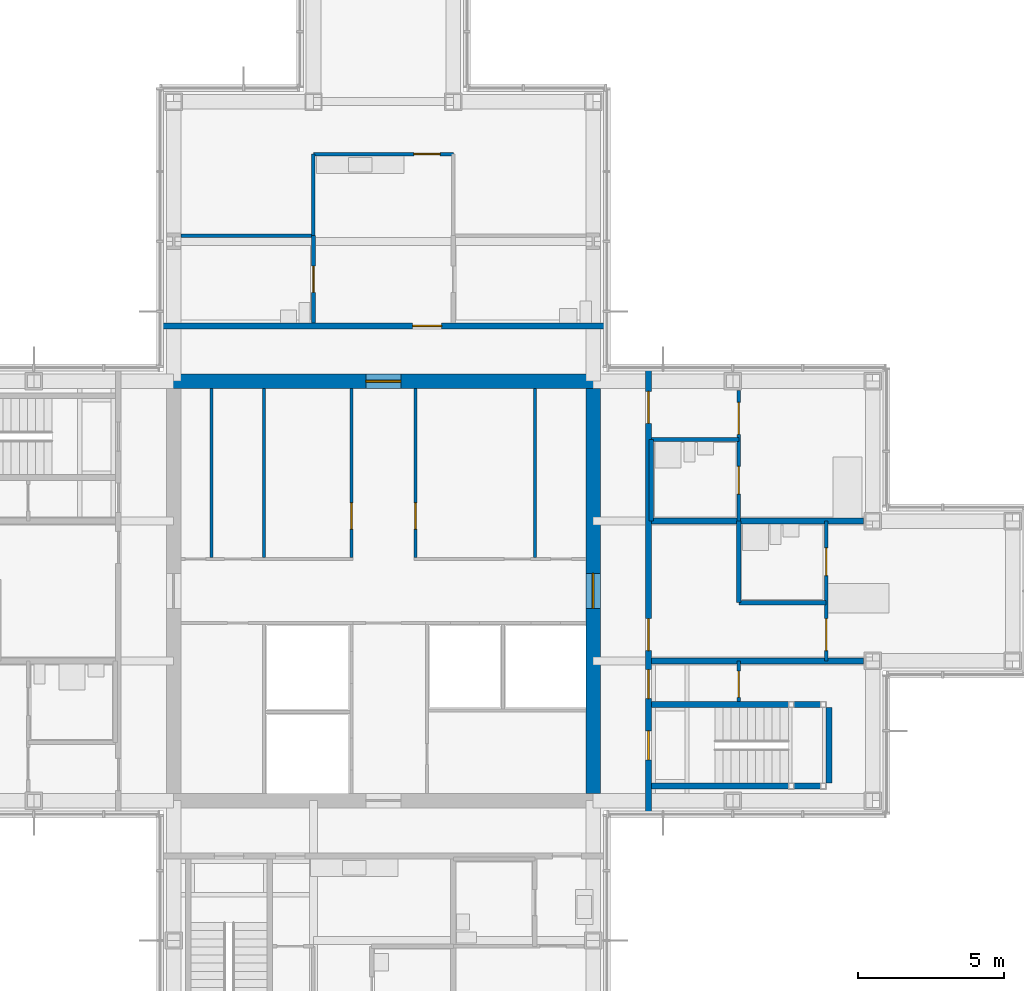
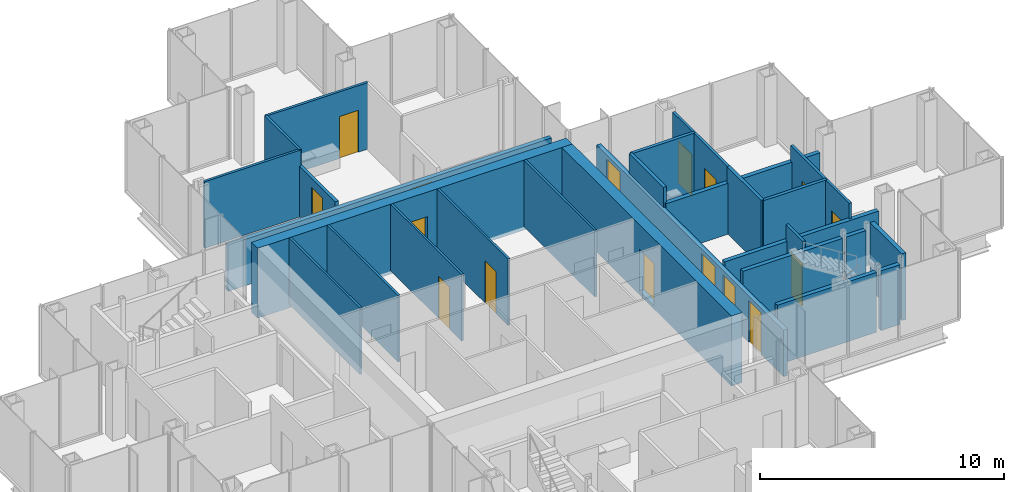
# One storey, part 13 of 17: 27 walls, 16 doors, 16 openings.
"""IFC4 building model written with IfcOpenShell, lengths in metres."""

from ifc_helpers import new_model, si_unit, direction, frame, frame_2d, origin, place, context, subcontext, project, spatial, rectangle, extrude, material, layer, layer_set, type_object, element, fill, save


model = new_model("IFC4")

# Units and contexts
model_context = context("Model", 3, precision=1e-05, world=origin(), true_north=direction((0.0, 1.0)))
body_context = subcontext(model_context, "Body", "Model", "MODEL_VIEW")
ifc_project = project(units=[si_unit("LENGTHUNIT", "METRE"), si_unit("AREAUNIT", "SQUARE_METRE"), si_unit("VOLUMEUNIT", "CUBIC_METRE"), si_unit("PLANEANGLEUNIT", "RADIAN"), si_unit("MASSUNIT", "GRAM", prefix="KILO")], contexts=[model_context])

# Site, building, storey
site_placement = place(None, origin())
site = spatial("IfcSite", under=ifc_project, at=site_placement, CompositionType="ELEMENT")
building_placement = place(site_placement, origin())
building = spatial("IfcBuilding", under=site, at=building_placement, Name="Kvirike Care Tower", CompositionType="ELEMENT")
storey_placement = place(building_placement, frame((0.0, 0.0, 162.0)))
storey = spatial("IfcBuildingStorey", under=building, at=storey_placement, Name="L44", CompositionType="ELEMENT", Elevation=162.0)

# Wall, opening, door
ifc_material_1 = material(Name="Moisture-resistant board partition", Category="gypsum")
ifc_layer_1 = layer(ifc_material_1, 0.14990234375)
ifc_layer_set_1 = layer_set([ifc_layer_1], Name="BATHROOM WALL 150")
wall_type_1 = type_object("IfcWallType", Name="BATHROOM WALL 150", PredefinedType="PARTITIONING", material=ifc_layer_set_1)
wall_1_placement = place(storey_placement, frame((19.199951171875, 48.199951171875, 0.0), z_axis=(0.0, 0.0, 1.0), x_axis=(0.0, -1.0, 0.0)))
wall_1 = element("IfcWall", 1, at=wall_1_placement, inside=storey, type_object=wall_type_1, Name="Bathroom Wall 150 L44", PredefinedType="PARTITIONING", context=body_context, shape_type="SweptSolid", body=[
    extrude(rectangle(XDim=3.0, YDim=0.14990234375, at=frame_2d((1.5, 0.0))), origin(), (0.0, 0.0, 1.0), 2.550048828125),
])
opening_1_placement = place(wall_1_placement, frame((1.050048828125, 0.0, 0.0)))
opening_1 = element("IfcOpeningElement", 2, at=opening_1_placement, cuts=wall_1, Name="Opening 44-018", PredefinedType="OPENING", context=body_context, shape_type="SweptSolid", body=[
    extrude(rectangle(XDim=0.89990234375, YDim=2.10009765625, at=frame_2d((0.449951171875, 1.050048828125))), frame((0.0, 0.08544921875, 0.0), z_axis=(0.0, -1.0, 0.0), x_axis=(1.0, 0.0, 0.0)), (0.0, 0.0, 1.0), 0.1708984375),
])
ifc_material_2 = material(Name="Timber door set", Category="wood")
door_type_1 = type_object("IfcDoorType", Name="BATHROOM DOOR 900", OperationType="SINGLE_SWING_RIGHT", PredefinedType="DOOR", material=ifc_material_2)
door_1_placement = place(opening_1_placement, frame((0.89990234375, 0.0, 0.0), z_axis=(0.0, 0.0, 1.0), x_axis=(-1.0, 0.0, 0.0)))
door_1 = element("IfcDoor", 3, at=door_1_placement, inside=storey, type_object=door_type_1, Name="Staff WC door", OperationType="SINGLE_SWING_RIGHT", OverallHeight=2.10009765625, OverallWidth=0.89990234375, PredefinedType="DOOR", context=body_context, shape_type="SweptSolid", body=[
    extrude(rectangle(XDim=0.89990234375, YDim=2.10009765625, at=frame_2d((0.449951171875, 1.050048828125))), frame((0.0, 0.02197265625, 0.0), z_axis=(0.0, -1.0, 0.0), x_axis=(1.0, 0.0, 0.0)), (0.0, 0.0, 1.0), 0.0439453125),
])
fill(opening_1, door_1)

# Walls
wall_2_placement = place(storey_placement, frame((36.800048828125, 35.60009765625, 0.0), z_axis=(0.0, 0.0, 1.0), x_axis=(-1.0, 0.0, 0.0)))
element("IfcWall", 4, at=wall_2_placement, inside=storey, type_object=wall_type_1, Name="Bathroom Wall 150 L44", PredefinedType="PARTITIONING", context=body_context, shape_type="SweptSolid", body=[
    extrude(rectangle(XDim=3.0, YDim=0.14990234375, at=frame_2d((1.5, 0.0))), origin(), (0.0, 0.0, 1.0), 3.330078125),
])
wall_3_placement = place(storey_placement, frame((33.800048828125, 35.60009765625, 0.0), z_axis=(0.0, 0.0, 1.0), x_axis=(0.0, 1.0, 0.0)))
element("IfcWall", 5, at=wall_3_placement, inside=storey, type_object=wall_type_1, Name="Bathroom Wall 150 L44", PredefinedType="PARTITIONING", context=body_context, shape_type="SweptSolid", body=[
    extrude(rectangle(XDim=2.7998046875, YDim=0.14990234375, at=frame_2d((1.39990234375, 0.0))), origin(), (0.0, 0.0, 1.0), 3.330078125),
])
wall_4_placement = place(storey_placement, frame((33.800048828125, 41.199951171875, 0.0), z_axis=(0.0, 0.0, 1.0), x_axis=(-1.0, 0.0, 0.0)))
element("IfcWall", 6, at=wall_4_placement, inside=storey, type_object=wall_type_1, Name="Bathroom Wall 150 L44", PredefinedType="PARTITIONING", context=body_context, shape_type="SweptSolid", body=[
    extrude(rectangle(XDim=3.0, YDim=0.14990234375, at=frame_2d((1.5, 0.0))), origin(), (0.0, 0.0, 1.0), 3.330078125),
])
wall_5_placement = place(storey_placement, frame((30.800048828125, 38.39990234375, 0.0), z_axis=(0.0, 0.0, 1.0), x_axis=(0.0, 1.0, 0.0)))
element("IfcWall", 7, at=wall_5_placement, inside=storey, type_object=wall_type_1, Name="Bathroom Wall 150 L44", PredefinedType="PARTITIONING", context=body_context, shape_type="SweptSolid", body=[
    extrude(rectangle(XDim=2.800048828125, YDim=0.14990234375, at=frame_2d((1.39990234375, 0.0))), origin(), (0.0, 0.0, 1.0), 3.330078125),
])

# Wall, opening, door
ifc_material_3 = material(Name="Concrete C45/55", Category="concrete")
ifc_layer_2 = layer(ifc_material_3, 0.5)
ifc_layer_set_2 = layer_set([ifc_layer_2], Name="CORE WALL 500 C45-55")
wall_type_2 = type_object("IfcWallType", Name="CORE WALL 500 C45-55", PredefinedType="SHEAR", material=ifc_layer_set_2)
wall_6_placement = place(storey_placement, frame((29.050048828125, 43.199951171875, -0.169921875), z_axis=(0.0, 0.0, 1.0), x_axis=(-1.0, 0.0, 0.0)))
wall_6 = element("IfcWall", 8, at=wall_6_placement, inside=storey, type_object=wall_type_2, Name="Core wall N L44", PredefinedType="SHEAR", context=body_context, shape_type="SweptSolid", body=[
    extrude(rectangle(XDim=14.900146484375, YDim=0.5, at=frame_2d((7.4501953125, 0.0))), origin(), (0.0, 0.0, 1.0), 3.5),
])
opening_2_placement = place(wall_6_placement, frame((6.85009765625, 0.0, 0.169921875)))
opening_2 = element("IfcOpeningElement", 9, at=opening_2_placement, cuts=wall_6, Name="Opening 44-046", PredefinedType="OPENING", context=body_context, shape_type="SweptSolid", body=[
    extrude(rectangle(XDim=1.199951171875, YDim=2.10009765625, at=frame_2d((0.60009765625, 1.050048828125))), frame((0.0, 0.260498046875, 0.0), z_axis=(0.0, -1.0, 0.0), x_axis=(1.0, 0.0, 0.0)), (0.0, 0.0, 1.0), 0.52099609375),
])
ifc_material_4 = material(Name="Timber door set", Category="wood")
door_type_2 = type_object("IfcDoorType", Name="CORE DOOR 1200", OperationType="SINGLE_SWING_LEFT", PredefinedType="DOOR", material=ifc_material_4)
door_2_placement = place(opening_2_placement, origin())
door_2 = element("IfcDoor", 10, at=door_2_placement, inside=storey, type_object=door_type_2, Name="Core door N L44", OperationType="SINGLE_SWING_LEFT", OverallHeight=2.10009765625, OverallWidth=1.199951171875, PredefinedType="DOOR", context=body_context, shape_type="SweptSolid", body=[
    extrude(rectangle(XDim=1.199951171875, YDim=2.10009765625, at=frame_2d((0.60009765625, 1.050048828125))), frame((0.0, 0.02685546875, 0.0), z_axis=(0.0, -1.0, 0.0), x_axis=(1.0, 0.0, 0.0)), (0.0, 0.0, 1.0), 0.053955078125),
])
fill(opening_2, door_2)

wall_7_placement = place(storey_placement, frame((28.800048828125, 29.050048828125, -0.169921875), z_axis=(0.0, 0.0, 1.0), x_axis=(0.0, 1.0, 0.0)))
wall_7 = element("IfcWall", 11, at=wall_7_placement, inside=storey, type_object=wall_type_2, Name="Core wall E L44", PredefinedType="SHEAR", context=body_context, shape_type="SweptSolid", body=[
    extrude(rectangle(XDim=13.89990234375, YDim=0.5, at=frame_2d((6.949951171875, 0.0))), origin(), (0.0, 0.0, 1.0), 3.5),
])
opening_3_placement = place(wall_7_placement, frame((6.35009765625, 0.0, 0.169921875)))
opening_3 = element("IfcOpeningElement", 12, at=opening_3_placement, cuts=wall_7, Name="Opening 44-045", PredefinedType="OPENING", context=body_context, shape_type="SweptSolid", body=[
    extrude(rectangle(XDim=1.199951171875, YDim=2.10009765625, at=frame_2d((0.60009765625, 1.050048828125))), frame((0.0, 0.260498046875, 0.0), z_axis=(0.0, -1.0, 0.0), x_axis=(1.0, 0.0, 0.0)), (0.0, 0.0, 1.0), 0.52099609375),
])
door_3_placement = place(opening_3_placement, origin())
door_3 = element("IfcDoor", 13, at=door_3_placement, inside=storey, type_object=door_type_2, Name="Core door E L44", OperationType="SINGLE_SWING_LEFT", OverallHeight=2.10009765625, OverallWidth=1.199951171875, PredefinedType="DOOR", context=body_context, shape_type="SweptSolid", body=[
    extrude(rectangle(XDim=1.199951171875, YDim=2.10009765625, at=frame_2d((0.60009765625, 1.050048828125))), frame((0.0, 0.02685546875, 0.0), z_axis=(0.0, -1.0, 0.0), x_axis=(1.0, 0.0, 0.0)), (0.0, 0.0, 1.0), 0.053955078125),
])
fill(opening_3, door_3)

ifc_material_5 = material(Name="Plasterboard corridor wall", Category="gypsum")
ifc_layer_3 = layer(ifc_material_5, 0.199951171875)
ifc_layer_set_3 = layer_set([ifc_layer_3], Name="CORRIDOR WALL 200")
wall_type_3 = type_object("IfcWallType", Name="CORRIDOR WALL 200", PredefinedType="PARTITIONING", material=ifc_layer_set_3)
wall_8_placement = place(storey_placement, frame((29.25, 45.10009765625, 0.0), z_axis=(0.0, 0.0, 1.0), x_axis=(-1.0, 0.0, 0.0)))
wall_8 = element("IfcWall", 14, at=wall_8_placement, inside=storey, type_object=wall_type_3, Name="Corridor Wall 200 L44", PredefinedType="PARTITIONING", context=body_context, shape_type="SweptSolid", body=[
    extrude(rectangle(XDim=15.300048828125, YDim=0.199951171875, at=frame_2d((7.64990234375, 0.0))), origin(), (0.0, 0.0, 1.0), 2.320068359375),
])
opening_4_placement = place(wall_8_placement, frame((5.64990234375, 0.0, 0.0)))
opening_4 = element("IfcOpeningElement", 15, at=opening_4_placement, cuts=wall_8, Name="Opening 44-020", PredefinedType="OPENING", context=body_context, shape_type="SweptSolid", body=[
    extrude(rectangle(XDim=1.0, YDim=2.10009765625, at=frame_2d((0.5, 1.050048828125))), frame((0.0, 0.110595703125, 0.0), z_axis=(0.0, -1.0, 0.0), x_axis=(1.0, 0.0, 0.0)), (0.0, 0.0, 1.0), 0.220947265625),
])
ifc_material_6 = material(Name="Timber door set", Category="wood")
door_type_3 = type_object("IfcDoorType", Name="FLAT ENTRANCE DOOR 1000", OperationType="SINGLE_SWING_LEFT", PredefinedType="DOOR", material=ifc_material_6)
door_4_placement = place(opening_4_placement, frame((1.0, 0.0, 0.0), z_axis=(0.0, 0.0, 1.0), x_axis=(-1.0, 0.0, 0.0)))
door_4 = element("IfcDoor", 16, at=door_4_placement, inside=storey, type_object=door_type_3, Name="Household lounge and dining room entrance", OperationType="SINGLE_SWING_LEFT", OverallHeight=2.10009765625, OverallWidth=1.0, PredefinedType="DOOR", context=body_context, shape_type="SweptSolid", body=[
    extrude(rectangle(XDim=1.0, YDim=2.10009765625, at=frame_2d((0.5, 1.050048828125))), frame((0.0, 0.02685546875, 0.0), z_axis=(0.0, -1.0, 0.0), x_axis=(1.0, 0.0, 0.0)), (0.0, 0.0, 1.0), 0.053955078125),
])
fill(opening_4, door_4)

# Wall, openings, doors
wall_9_placement = place(storey_placement, frame((30.699951171875, 28.35009765625, 0.0), z_axis=(0.0, 0.0, 1.0), x_axis=(0.0, 1.0, 0.0)))
wall_9 = element("IfcWall", 17, at=wall_9_placement, inside=storey, type_object=wall_type_3, Name="Corridor Wall 200 L44", PredefinedType="PARTITIONING", context=body_context, shape_type="SweptSolid", body=[
    extrude(rectangle(XDim=15.2998046875, YDim=0.199951171875, at=frame_2d((7.64990234375, 0.0))), origin(), (0.0, 0.0, 1.0), 2.320068359375),
])
opening_5_placement = place(wall_9_placement, frame((1.85009765625, 0.0, 0.0)))
opening_5 = element("IfcOpeningElement", 18, at=opening_5_placement, cuts=wall_9, Name="Opening 44-026", PredefinedType="OPENING", context=body_context, shape_type="SweptSolid", body=[
    extrude(rectangle(XDim=1.0, YDim=2.10009765625, at=frame_2d((0.5, 1.050048828125))), frame((0.0, 0.110595703125, 0.0), z_axis=(0.0, -1.0, 0.0), x_axis=(1.0, 0.0, 0.0)), (0.0, 0.0, 1.0), 0.220947265625),
])
opening_6_placement = place(wall_9_placement, frame((3.949951171875, 0.0, 0.0)))
opening_6 = element("IfcOpeningElement", 19, at=opening_6_placement, cuts=wall_9, Name="Opening 44-027", PredefinedType="OPENING", context=body_context, shape_type="SweptSolid", body=[
    extrude(rectangle(XDim=1.0, YDim=2.10009765625, at=frame_2d((0.5, 1.050048828125))), frame((0.0, 0.110595703125, 0.0), z_axis=(0.0, -1.0, 0.0), x_axis=(1.0, 0.0, 0.0)), (0.0, 0.0, 1.0), 0.220947265625),
])
opening_7_placement = place(wall_9_placement, frame((5.60009765625, 0.0, 0.0)))
opening_7 = element("IfcOpeningElement", 20, at=opening_7_placement, cuts=wall_9, Name="Opening 44-028", PredefinedType="OPENING", context=body_context, shape_type="SweptSolid", body=[
    extrude(rectangle(XDim=1.10009765625, YDim=2.10009765625, at=frame_2d((0.550048828125, 1.050048828125))), frame((0.0, 0.110595703125, 0.0), z_axis=(0.0, -1.0, 0.0), x_axis=(1.0, 0.0, 0.0)), (0.0, 0.0, 1.0), 0.220947265625),
])
opening_8_placement = place(wall_9_placement, frame((13.39990234375, 0.0, 0.0)))
opening_8 = element("IfcOpeningElement", 21, at=opening_8_placement, cuts=wall_9, Name="Opening 44-029", PredefinedType="OPENING", context=body_context, shape_type="SweptSolid", body=[
    extrude(rectangle(XDim=1.10009765625, YDim=2.10009765625, at=frame_2d((0.550048828125, 1.050048828125))), frame((0.0, 0.110595703125, 0.0), z_axis=(0.0, -1.0, 0.0), x_axis=(1.0, 0.0, 0.0)), (0.0, 0.0, 1.0), 0.220947265625),
])
ifc_material_7 = material(Name="Timber door set", Category="wood")
door_type_4 = type_object("IfcDoorType", Name="BEDROOM ENTRANCE DOOR 1100", OperationType="SINGLE_SWING_LEFT", PredefinedType="DOOR", material=ifc_material_7)
door_5_placement = place(opening_7_placement, frame((1.10009765625, 0.0, 0.0), z_axis=(0.0, 0.0, 1.0), x_axis=(-1.0, 0.0, 0.0)))
door_5 = element("IfcDoor", 22, at=door_5_placement, inside=storey, type_object=door_type_4, Name="Memory care bedroom entrance", OperationType="SINGLE_SWING_LEFT", OverallHeight=2.10009765625, OverallWidth=1.10009765625, PredefinedType="DOOR", context=body_context, shape_type="SweptSolid", body=[
    extrude(rectangle(XDim=1.10009765625, YDim=2.10009765625, at=frame_2d((0.550048828125, 1.050048828125))), frame((0.0, 0.02685546875, 0.0), z_axis=(0.0, -1.0, 0.0), x_axis=(1.0, 0.0, 0.0)), (0.0, 0.0, 1.0), 0.053955078125),
])
fill(opening_7, door_5)
door_6_placement = place(opening_8_placement, frame((1.10009765625, 0.0, 0.0), z_axis=(0.0, 0.0, 1.0), x_axis=(-1.0, 0.0, 0.0)))
door_6 = element("IfcDoor", 23, at=door_6_placement, inside=storey, type_object=door_type_4, Name="Memory care bedroom entrance", OperationType="SINGLE_SWING_RIGHT", OverallHeight=2.10009765625, OverallWidth=1.10009765625, PredefinedType="DOOR", context=body_context, shape_type="SweptSolid", body=[
    extrude(rectangle(XDim=1.10009765625, YDim=2.10009765625, at=frame_2d((0.550048828125, 1.050048828125))), frame((0.0, 0.02685546875, 0.0), z_axis=(0.0, -1.0, 0.0), x_axis=(1.0, 0.0, 0.0)), (0.0, 0.0, 1.0), 0.053955078125),
])
fill(opening_8, door_6)
door_7_placement = place(opening_6_placement, frame((1.0, 0.0, 0.0), z_axis=(0.0, 0.0, 1.0), x_axis=(-1.0, 0.0, 0.0)))
door_7 = element("IfcDoor", 24, at=door_7_placement, inside=storey, type_object=door_type_3, Name="Care base entrance", OperationType="SINGLE_SWING_LEFT", OverallHeight=2.10009765625, OverallWidth=1.0, PredefinedType="DOOR", context=body_context, shape_type="SweptSolid", body=[
    extrude(rectangle(XDim=1.0, YDim=2.10009765625, at=frame_2d((0.5, 1.050048828125))), frame((0.0, 0.02685546875, 0.0), z_axis=(0.0, -1.0, 0.0), x_axis=(1.0, 0.0, 0.0)), (0.0, 0.0, 1.0), 0.053955078125),
])
fill(opening_6, door_7)
ifc_material_8 = material(Name="Timber door set", Category="wood")
door_type_5 = type_object("IfcDoorType", Name="STAIR DOOR 1000", OperationType="SINGLE_SWING_LEFT", PredefinedType="DOOR", material=ifc_material_8)
door_8_placement = place(opening_5_placement, frame((1.0, 0.0, 0.0), z_axis=(0.0, 0.0, 1.0), x_axis=(-1.0, 0.0, 0.0)))
door_8 = element("IfcDoor", 25, at=door_8_placement, inside=storey, type_object=door_type_5, Name="Stair 2 door", OperationType="SINGLE_SWING_RIGHT", OverallHeight=2.10009765625, OverallWidth=1.0, PredefinedType="DOOR", context=body_context, shape_type="SweptSolid", body=[
    extrude(rectangle(XDim=1.0, YDim=2.10009765625, at=frame_2d((0.5, 1.050048828125))), frame((0.0, 0.031982421875, 0.0), z_axis=(0.0, -1.0, 0.0), x_axis=(1.0, 0.0, 0.0)), (0.0, 0.0, 1.0), 0.06396484375),
])
fill(opening_5, door_8)

# Wall, opening, door
ifc_material_9 = material(Name="Plasterboard partition", Category="gypsum")
ifc_layer_4 = layer(ifc_material_9, 0.1201171875)
ifc_layer_set_4 = layer_set([ifc_layer_4], Name="PARTITION 120")
wall_type_4 = type_object("IfcWallType", Name="PARTITION 120", PredefinedType="PARTITIONING", material=ifc_layer_set_4)
wall_10_placement = place(storey_placement, frame((24.0, 51.0, 0.0), z_axis=(0.0, 0.0, 1.0), x_axis=(-1.0, 0.0, 0.0)))
wall_10 = element("IfcWall", 26, at=wall_10_placement, inside=storey, type_object=wall_type_4, Name="Partition 120 L44", PredefinedType="PARTITIONING", context=body_context, shape_type="SweptSolid", body=[
    extrude(rectangle(XDim=4.800048828125, YDim=0.1201171875, at=frame_2d((2.39990234375, 0.0))), origin(), (0.0, 0.0, 1.0), 3.330078125),
])
opening_9_placement = place(wall_10_placement, frame((0.449951171875, 0.0, 0.0)))
opening_9 = element("IfcOpeningElement", 27, at=opening_9_placement, cuts=wall_10, Name="Opening 44-019", PredefinedType="OPENING", context=body_context, shape_type="SweptSolid", body=[
    extrude(rectangle(XDim=0.89990234375, YDim=2.10009765625, at=frame_2d((0.449951171875, 1.050048828125))), frame((0.0, 0.070556640625, 0.0), z_axis=(0.0, -1.0, 0.0), x_axis=(1.0, 0.0, 0.0)), (0.0, 0.0, 1.0), 0.14111328125),
])
ifc_material_10 = material(Name="Timber door set", Category="wood")
door_type_6 = type_object("IfcDoorType", Name="INTERNAL DOOR 900", OperationType="SINGLE_SWING_LEFT", PredefinedType="DOOR", material=ifc_material_10)
door_9_placement = place(opening_9_placement, origin())
door_9 = element("IfcDoor", 28, at=door_9_placement, inside=storey, type_object=door_type_6, Name="Household lounge and dining room door", OperationType="SINGLE_SWING_RIGHT", OverallHeight=2.10009765625, OverallWidth=0.89990234375, PredefinedType="DOOR", context=body_context, shape_type="SweptSolid", body=[
    extrude(rectangle(XDim=0.89990234375, YDim=2.10009765625, at=frame_2d((0.449951171875, 1.050048828125))), frame((0.0, 0.02197265625, 0.0), z_axis=(0.0, -1.0, 0.0), x_axis=(1.0, 0.0, 0.0)), (0.0, 0.0, 1.0), 0.0439453125),
])
fill(opening_9, door_9)

# Walls
wall_11_placement = place(storey_placement, frame((19.199951171875, 48.199951171875, 0.0), z_axis=(0.0, 0.0, 1.0), x_axis=(-1.0, 0.0, 0.0)))
element("IfcWall", 29, at=wall_11_placement, inside=storey, type_object=wall_type_4, Name="Partition 120 L44", PredefinedType="PARTITIONING", context=body_context, shape_type="SweptSolid", body=[
    extrude(rectangle(XDim=4.552978515625, YDim=0.1201171875, at=frame_2d((2.2763671875, 0.0))), origin(), (0.0, 0.0, 1.0), 3.330078125),
])
wall_12_placement = place(storey_placement, frame((19.199951171875, 51.0, 0.0), z_axis=(0.0, 0.0, 1.0), x_axis=(0.0, -1.0, 0.0)))
element("IfcWall", 30, at=wall_12_placement, inside=storey, type_object=wall_type_4, Name="Partition 120 L44", PredefinedType="PARTITIONING", context=body_context, shape_type="SweptSolid", body=[
    extrude(rectangle(XDim=2.800048828125, YDim=0.1201171875, at=frame_2d((1.39990234375, 0.0))), origin(), (0.0, 0.0, 1.0), 3.330078125),
])

# Wall, opening, door
wall_13_placement = place(storey_placement, frame((33.800048828125, 32.199951171875, 0.0), z_axis=(0.0, 0.0, 1.0), x_axis=(0.0, 1.0, 0.0)))
wall_13 = element("IfcWall", 31, at=wall_13_placement, inside=storey, type_object=wall_type_4, Name="Partition 120 L44", PredefinedType="PARTITIONING", context=body_context, shape_type="SweptSolid", body=[
    extrude(rectangle(XDim=1.400146484375, YDim=0.1201171875, at=frame_2d((0.7001953125, 0.0))), origin(), (0.0, 0.0, 1.0), 3.330078125),
])
opening_10_placement = place(wall_13_placement, frame((0.14990234375, 0.0, 0.0)))
opening_10 = element("IfcOpeningElement", 32, at=opening_10_placement, cuts=wall_13, Name="Opening 44-021", PredefinedType="OPENING", context=body_context, shape_type="SweptSolid", body=[
    extrude(rectangle(XDim=0.89990234375, YDim=2.10009765625, at=frame_2d((0.449951171875, 1.050048828125))), frame((0.0, 0.070556640625, 0.0), z_axis=(0.0, -1.0, 0.0), x_axis=(1.0, 0.0, 0.0)), (0.0, 0.0, 1.0), 0.14111328125),
])
door_10_placement = place(opening_10_placement, origin())
door_10 = element("IfcDoor", 33, at=door_10_placement, inside=storey, type_object=door_type_6, Name="Quiet room door", OperationType="SINGLE_SWING_RIGHT", OverallHeight=2.10009765625, OverallWidth=0.89990234375, PredefinedType="DOOR", context=body_context, shape_type="SweptSolid", body=[
    extrude(rectangle(XDim=0.89990234375, YDim=2.10009765625, at=frame_2d((0.449951171875, 1.050048828125))), frame((0.0, 0.02197265625, 0.0), z_axis=(0.0, -1.0, 0.0), x_axis=(1.0, 0.0, 0.0)), (0.0, 0.0, 1.0), 0.0439453125),
])
fill(opening_10, door_10)

# Wall, openings, doors
wall_14_placement = place(storey_placement, frame((36.800048828125, 33.60009765625, 0.0), z_axis=(0.0, 0.0, 1.0), x_axis=(0.0, 1.0, 0.0)))
wall_14 = element("IfcWall", 34, at=wall_14_placement, inside=storey, type_object=wall_type_4, Name="Partition 120 L44", PredefinedType="PARTITIONING", context=body_context, shape_type="SweptSolid", body=[
    extrude(rectangle(XDim=4.7998046875, YDim=0.1201171875, at=frame_2d((2.39990234375, 0.0))), origin(), (0.0, 0.0, 1.0), 3.330078125),
])
opening_11_placement = place(wall_14_placement, frame((0.35009765625, 0.0, 0.0)))
opening_11 = element("IfcOpeningElement", 35, at=opening_11_placement, cuts=wall_14, Name="Opening 44-022", PredefinedType="OPENING", context=body_context, shape_type="SweptSolid", body=[
    extrude(rectangle(XDim=1.10009765625, YDim=2.10009765625, at=frame_2d((0.550048828125, 1.050048828125))), frame((0.0, 0.070556640625, 0.0), z_axis=(0.0, -1.0, 0.0), x_axis=(1.0, 0.0, 0.0)), (0.0, 0.0, 1.0), 0.14111328125),
])
opening_12_placement = place(wall_14_placement, frame((2.925048828125, 0.0, 0.0)))
opening_12 = element("IfcOpeningElement", 36, at=opening_12_placement, cuts=wall_14, Name="Opening 44-023", PredefinedType="OPENING", context=body_context, shape_type="SweptSolid", body=[
    extrude(rectangle(XDim=0.949951171875, YDim=2.10009765625, at=frame_2d((0.47509765625, 1.050048828125))), frame((0.0, 0.070556640625, 0.0), z_axis=(0.0, -1.0, 0.0), x_axis=(1.0, 0.0, 0.0)), (0.0, 0.0, 1.0), 0.14111328125),
])
ifc_material_11 = material(Name="Timber door set", Category="wood")
door_type_7 = type_object("IfcDoorType", Name="BEDROOM DOOR 1100", OperationType="SINGLE_SWING_LEFT", PredefinedType="DOOR", material=ifc_material_11)
door_11_placement = place(opening_11_placement, origin())
door_11 = element("IfcDoor", 37, at=door_11_placement, inside=storey, type_object=door_type_7, Name="Memory care bedroom door", OperationType="SINGLE_SWING_RIGHT", OverallHeight=2.10009765625, OverallWidth=1.10009765625, PredefinedType="DOOR", context=body_context, shape_type="SweptSolid", body=[
    extrude(rectangle(XDim=1.10009765625, YDim=2.10009765625, at=frame_2d((0.550048828125, 1.050048828125))), frame((0.0, 0.02197265625, 0.0), z_axis=(0.0, -1.0, 0.0), x_axis=(1.0, 0.0, 0.0)), (0.0, 0.0, 1.0), 0.0439453125),
])
fill(opening_11, door_11)
ifc_material_12 = material(Name="Timber door set", Category="wood")
door_type_8 = type_object("IfcDoorType", Name="EN-SUITE SLIDING DOOR 950", OperationType="SLIDING_TO_LEFT", PredefinedType="DOOR", material=ifc_material_12)
door_12_placement = place(opening_12_placement, origin())
door_12 = element("IfcDoor", 38, at=door_12_placement, inside=storey, type_object=door_type_8, Name="En-suite door", OperationType="SLIDING_TO_RIGHT", OverallHeight=2.10009765625, OverallWidth=0.949951171875, PredefinedType="DOOR", context=body_context, shape_type="SweptSolid", body=[
    extrude(rectangle(XDim=0.949951171875, YDim=2.10009765625, at=frame_2d((0.47509765625, 1.050048828125))), frame((0.0, 0.02197265625, 0.0), z_axis=(0.0, -1.0, 0.0), x_axis=(1.0, 0.0, 0.0)), (0.0, 0.0, 1.0), 0.0439453125),
])
fill(opening_12, door_12)

wall_15_placement = place(storey_placement, frame((33.800048828125, 38.39990234375, 0.0), z_axis=(0.0, 0.0, 1.0), x_axis=(0.0, 1.0, 0.0)))
wall_15 = element("IfcWall", 39, at=wall_15_placement, inside=storey, type_object=wall_type_4, Name="Partition 120 L44", PredefinedType="PARTITIONING", context=body_context, shape_type="SweptSolid", body=[
    extrude(rectangle(XDim=4.47998046875, YDim=0.1201171875, at=frame_2d((2.239990234375, 0.0))), origin(), (0.0, 0.0, 1.0), 3.330078125),
])
opening_13_placement = place(wall_15_placement, frame((2.97509765625, 0.0, 0.0)))
opening_13 = element("IfcOpeningElement", 40, at=opening_13_placement, cuts=wall_15, Name="Opening 44-024", PredefinedType="OPENING", context=body_context, shape_type="SweptSolid", body=[
    extrude(rectangle(XDim=1.10009765625, YDim=2.10009765625, at=frame_2d((0.550048828125, 1.050048828125))), frame((0.0, 0.070556640625, 0.0), z_axis=(0.0, -1.0, 0.0), x_axis=(1.0, 0.0, 0.0)), (0.0, 0.0, 1.0), 0.14111328125),
])
opening_14_placement = place(wall_15_placement, frame((0.925048828125, 0.0, 0.0)))
opening_14 = element("IfcOpeningElement", 41, at=opening_14_placement, cuts=wall_15, Name="Opening 44-025", PredefinedType="OPENING", context=body_context, shape_type="SweptSolid", body=[
    extrude(rectangle(XDim=0.949951171875, YDim=2.10009765625, at=frame_2d((0.47509765625, 1.050048828125))), frame((0.0, 0.070556640625, 0.0), z_axis=(0.0, -1.0, 0.0), x_axis=(1.0, 0.0, 0.0)), (0.0, 0.0, 1.0), 0.14111328125),
])
door_13_placement = place(opening_13_placement, origin())
door_13 = element("IfcDoor", 42, at=door_13_placement, inside=storey, type_object=door_type_7, Name="Memory care bedroom door", OperationType="SINGLE_SWING_RIGHT", OverallHeight=2.10009765625, OverallWidth=1.10009765625, PredefinedType="DOOR", context=body_context, shape_type="SweptSolid", body=[
    extrude(rectangle(XDim=1.10009765625, YDim=2.10009765625, at=frame_2d((0.550048828125, 1.050048828125))), frame((0.0, 0.02197265625, 0.0), z_axis=(0.0, -1.0, 0.0), x_axis=(1.0, 0.0, 0.0)), (0.0, 0.0, 1.0), 0.0439453125),
])
fill(opening_13, door_13)
door_14_placement = place(opening_14_placement, origin())
door_14 = element("IfcDoor", 43, at=door_14_placement, inside=storey, type_object=door_type_8, Name="En-suite door", OperationType="SLIDING_TO_RIGHT", OverallHeight=2.10009765625, OverallWidth=0.949951171875, PredefinedType="DOOR", context=body_context, shape_type="SweptSolid", body=[
    extrude(rectangle(XDim=0.949951171875, YDim=2.10009765625, at=frame_2d((0.47509765625, 1.050048828125))), frame((0.0, 0.02197265625, 0.0), z_axis=(0.0, -1.0, 0.0), x_axis=(1.0, 0.0, 0.0)), (0.0, 0.0, 1.0), 0.0439453125),
])
fill(opening_14, door_14)

# Walls
ifc_material_13 = material(Name="Plasterboard party wall", Category="gypsum")
ifc_layer_5 = layer(ifc_material_13, 0.199951171875)
ifc_layer_set_5 = layer_set([ifc_layer_5], Name="PARTY WALL 200")
wall_type_5 = type_object("IfcWallType", Name="PARTY WALL 200", PredefinedType="PARTITIONING", material=ifc_layer_set_5)
for number, where, z_axis, x_axis, name in (
    (44, (38.080078125, 33.60009765625, 0.0), (0.0, 0.0, 1.0), (-1.0, 0.0, 0.0), "Party Wall 200 L44"),
    (45, (38.080078125, 38.39990234375, 0.0), (0.0, 0.0, 1.0), (-1.0, 0.0, 0.0), "Party Wall 200 L44"),
):
    element("IfcWall", number, at=place(storey_placement, frame(where, z_axis=z_axis, x_axis=x_axis)), inside=storey, type_object=wall_type_5, Name=name, PredefinedType="PARTITIONING", context=body_context, shape_type="SweptSolid", body=[
        extrude(rectangle(XDim=7.280029296875, YDim=0.199951171875, at=frame_2d((3.64013671875, 0.0))), origin(), (0.0, 0.0, 1.0), 2.550048828125),
    ])
ifc_material_14 = material(Name="Gypsum shaft wall system", Category="gypsum")
ifc_layer_6 = layer(ifc_material_14, 0.10009765625)
ifc_layer_set_6 = layer_set([ifc_layer_6], Name="SHAFT WALL 100")
wall_type_6 = type_object("IfcWallType", Name="SHAFT WALL 100", PredefinedType="SOLIDWALL", material=ifc_layer_set_6)
for number, where, z_axis, x_axis, name in (
    (46, (15.699951171875, 37.14990234375, 0.0), (0.0, 0.0, 1.0), (0.0, 1.0, 0.0), "Shaft Wall 100 L44"),
    (47, (26.800048828125, 37.14990234375, 0.0), (0.0, 0.0, 1.0), (0.0, 1.0, 0.0), "Shaft Wall 100 L44"),
):
    element("IfcWall", number, at=place(storey_placement, frame(where, z_axis=z_axis, x_axis=x_axis)), inside=storey, type_object=wall_type_6, Name=name, PredefinedType="SOLIDWALL", context=body_context, shape_type="SweptSolid", body=[
        extrude(rectangle(XDim=5.800048828125, YDim=0.10009765625, at=frame_2d((2.89990234375, 0.0))), origin(), (0.0, 0.0, 1.0), 3.330078125),
    ])

# Wall, opening, door
wall_16_placement = place(storey_placement, frame((20.5, 37.14990234375, 0.0), z_axis=(0.0, 0.0, 1.0), x_axis=(0.0, 1.0, 0.0)))
wall_16 = element("IfcWall", 48, at=wall_16_placement, inside=storey, type_object=wall_type_6, Name="Shaft Wall 100 L44", PredefinedType="SOLIDWALL", context=body_context, shape_type="SweptSolid", body=[
    extrude(rectangle(XDim=5.800048828125, YDim=0.10009765625, at=frame_2d((2.89990234375, 0.0))), origin(), (0.0, 0.0, 1.0), 3.330078125),
])
opening_15_placement = place(wall_16_placement, frame((0.97509765625, 0.0, 0.0)))
opening_15 = element("IfcOpeningElement", 49, at=opening_15_placement, cuts=wall_16, Name="Opening 44-032", PredefinedType="OPENING", context=body_context, shape_type="SweptSolid", body=[
    extrude(rectangle(XDim=0.89990234375, YDim=2.10009765625, at=frame_2d((0.449951171875, 1.050048828125))), frame((0.0, 0.060546875, 0.0), z_axis=(0.0, -1.0, 0.0), x_axis=(1.0, 0.0, 0.0)), (0.0, 0.0, 1.0), 0.12109375),
])
ifc_material_15 = material(Name="Timber door set", Category="wood")
door_type_9 = type_object("IfcDoorType", Name="STORE DOOR 900", OperationType="SINGLE_SWING_LEFT", PredefinedType="DOOR", material=ifc_material_15)
door_15_placement = place(opening_15_placement, origin())
door_15 = element("IfcDoor", 50, at=door_15_placement, inside=storey, type_object=door_type_9, Name="Staff room door", OperationType="SINGLE_SWING_RIGHT", OverallHeight=2.10009765625, OverallWidth=0.89990234375, PredefinedType="DOOR", context=body_context, shape_type="SweptSolid", body=[
    extrude(rectangle(XDim=0.89990234375, YDim=2.10009765625, at=frame_2d((0.449951171875, 1.050048828125))), frame((0.0, 0.02685546875, 0.0), z_axis=(0.0, -1.0, 0.0), x_axis=(1.0, 0.0, 0.0)), (0.0, 0.0, 1.0), 0.053955078125),
])
fill(opening_15, door_15)

wall_17_placement = place(storey_placement, frame((22.699951171875, 37.14990234375, 0.0), z_axis=(0.0, 0.0, 1.0), x_axis=(0.0, 1.0, 0.0)))
wall_17 = element("IfcWall", 51, at=wall_17_placement, inside=storey, type_object=wall_type_6, Name="Shaft Wall 100 L44", PredefinedType="SOLIDWALL", context=body_context, shape_type="SweptSolid", body=[
    extrude(rectangle(XDim=5.800048828125, YDim=0.10009765625, at=frame_2d((2.89990234375, 0.0))), origin(), (0.0, 0.0, 1.0), 3.330078125),
])
opening_16_placement = place(wall_17_placement, frame((0.97509765625, 0.0, 0.0)))
opening_16 = element("IfcOpeningElement", 52, at=opening_16_placement, cuts=wall_17, Name="Opening 44-033", PredefinedType="OPENING", context=body_context, shape_type="SweptSolid", body=[
    extrude(rectangle(XDim=0.89990234375, YDim=2.10009765625, at=frame_2d((0.449951171875, 1.050048828125))), frame((0.0, 0.060546875, 0.0), z_axis=(0.0, -1.0, 0.0), x_axis=(1.0, 0.0, 0.0)), (0.0, 0.0, 1.0), 0.12109375),
])
door_16_placement = place(opening_16_placement, frame((0.89990234375, 0.0, 0.0), z_axis=(0.0, 0.0, 1.0), x_axis=(-1.0, 0.0, 0.0)))
door_16 = element("IfcDoor", 53, at=door_16_placement, inside=storey, type_object=door_type_9, Name="Records store door", OperationType="SINGLE_SWING_LEFT", OverallHeight=2.10009765625, OverallWidth=0.89990234375, PredefinedType="DOOR", context=body_context, shape_type="SweptSolid", body=[
    extrude(rectangle(XDim=0.89990234375, YDim=2.10009765625, at=frame_2d((0.449951171875, 1.050048828125))), frame((0.0, 0.02685546875, 0.0), z_axis=(0.0, -1.0, 0.0), x_axis=(1.0, 0.0, 0.0)), (0.0, 0.0, 1.0), 0.053955078125),
])
fill(opening_16, door_16)

# Walls
wall_18_placement = place(storey_placement, frame((17.5, 37.14990234375, 0.0), z_axis=(0.0, 0.0, 1.0), x_axis=(0.0, 1.0, 0.0)))
element("IfcWall", 54, at=wall_18_placement, inside=storey, type_object=wall_type_6, Name="Shaft Wall 100 L44", PredefinedType="SOLIDWALL", context=body_context, shape_type="SweptSolid", body=[
    extrude(rectangle(XDim=5.800048828125, YDim=0.10009765625, at=frame_2d((2.89990234375, 0.0))), origin(), (0.0, 0.0, 1.0), 3.330078125),
])
ifc_material_16 = material(Name="Concrete C40/50", Category="concrete")
ifc_layer_7 = layer(ifc_material_16, 0.199951171875)
ifc_layer_set_7 = layer_set([ifc_layer_7], Name="STAIR WALL 200")
wall_type_7 = type_object("IfcWallType", Name="STAIR WALL 200", PredefinedType="SOLIDWALL", material=ifc_layer_set_7)
wall_19_placement = place(storey_placement, frame((36.60009765625, 29.300048828125, 0.0), z_axis=(0.0, 0.0, 1.0), x_axis=(-1.0, 0.0, 0.0)))
element("IfcWall", 55, at=wall_19_placement, inside=storey, type_object=wall_type_7, Name="Stair Wall 200 L44", PredefinedType="SOLIDWALL", context=body_context, shape_type="SweptSolid", body=[
    extrude(rectangle(XDim=0.900146484375, YDim=0.199951171875, at=frame_2d((0.4501953125, 0.0))), origin(), (0.0, 0.0, 1.0), 2.989990234375),
])
wall_20_placement = place(storey_placement, frame((35.5, 29.300048828125, 0.0), z_axis=(0.0, 0.0, 1.0), x_axis=(-1.0, 0.0, 0.0)))
element("IfcWall", 56, at=wall_20_placement, inside=storey, type_object=wall_type_7, Name="Stair Wall 200 L44", PredefinedType="SOLIDWALL", context=body_context, shape_type="SweptSolid", body=[
    extrude(rectangle(XDim=4.699951171875, YDim=0.199951171875, at=frame_2d((2.35009765625, 0.0))), origin(), (0.0, 0.0, 1.0), 2.989990234375),
])
wall_21_placement = place(storey_placement, frame((36.60009765625, 32.10009765625, 0.0), z_axis=(0.0, 0.0, 1.0), x_axis=(-1.0, 0.0, 0.0)))
element("IfcWall", 57, at=wall_21_placement, inside=storey, type_object=wall_type_7, Name="Stair Wall 200 L44", PredefinedType="SOLIDWALL", context=body_context, shape_type="SweptSolid", body=[
    extrude(rectangle(XDim=0.900146484375, YDim=0.199951171875, at=frame_2d((0.4501953125, 0.0))), origin(), (0.0, 0.0, 1.0), 2.989990234375),
])
wall_22_placement = place(storey_placement, frame((35.5, 32.10009765625, 0.0), z_axis=(0.0, 0.0, 1.0), x_axis=(-1.0, 0.0, 0.0)))
element("IfcWall", 58, at=wall_22_placement, inside=storey, type_object=wall_type_7, Name="Stair Wall 200 L44", PredefinedType="SOLIDWALL", context=body_context, shape_type="SweptSolid", body=[
    extrude(rectangle(XDim=4.699951171875, YDim=0.199951171875, at=frame_2d((2.35009765625, 0.0))), origin(), (0.0, 0.0, 1.0), 2.989990234375),
])
wall_23_placement = place(storey_placement, frame((36.89990234375, 29.39990234375, 0.0), z_axis=(0.0, 0.0, 1.0), x_axis=(0.0, 1.0, 0.0)))
element("IfcWall", 59, at=wall_23_placement, inside=storey, type_object=wall_type_7, Name="Stair Wall 200 L44", PredefinedType="SOLIDWALL", context=body_context, shape_type="SweptSolid", body=[
    extrude(rectangle(XDim=2.60009765625, YDim=0.199951171875, at=frame_2d((1.300048828125, 0.0))), origin(), (0.0, 0.0, 1.0), 3.330078125),
])

save(model, "model.ifc")
